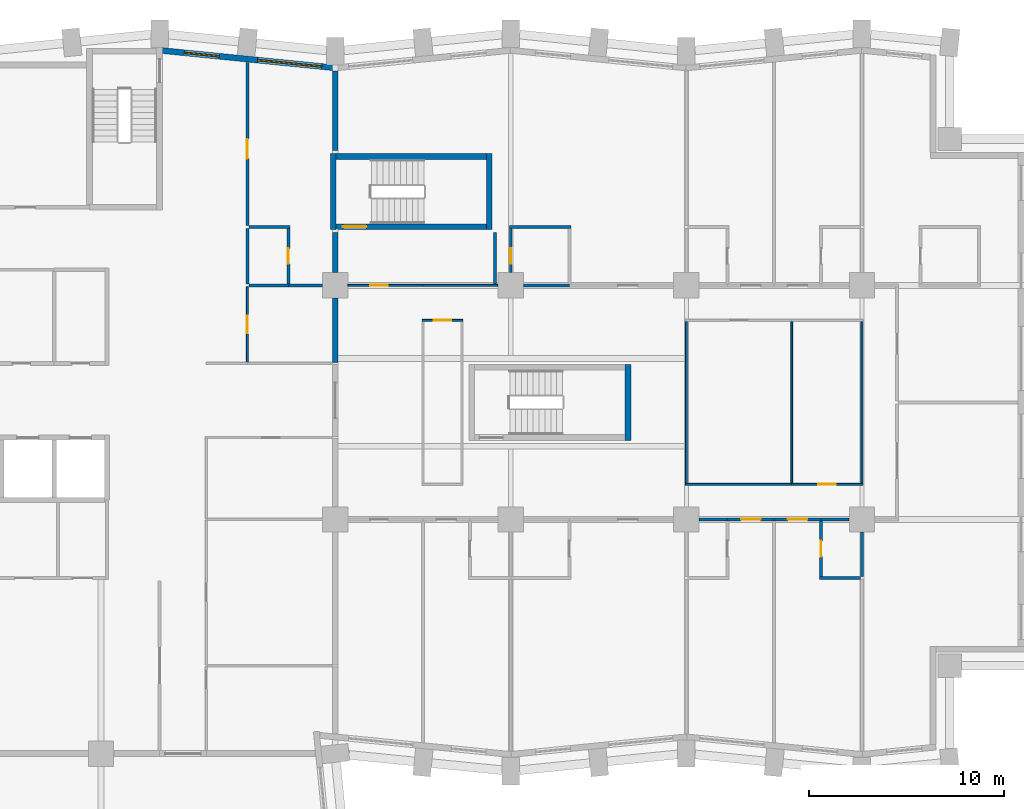
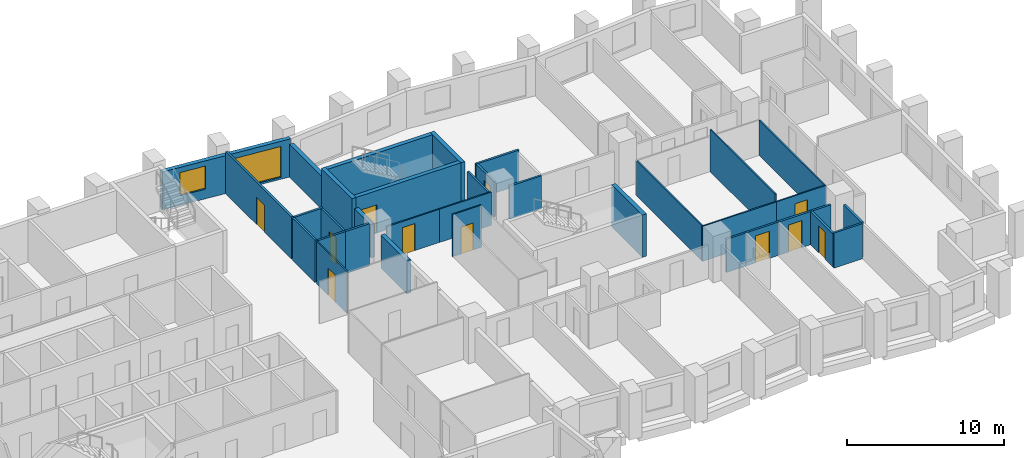
# One storey, part 8 of 13: 35 walls, 11 doors, 2 windows, 13 openings.
"""IFC4 building model written with IfcOpenShell, lengths in metres."""

from ifc_helpers import new_model, si_unit, direction, frame, frame_2d, origin, place, context, subcontext, project, spatial, rectangle, extrude, material, layer, layer_set, type_object, element, fill, save


model = new_model("IFC4")

# Units and contexts
model_context = context("Model", 3, precision=1e-05, world=origin(), true_north=direction((0.0, 1.0)))
body_context = subcontext(model_context, "Body", "Model", "MODEL_VIEW")
ifc_project = project(units=[si_unit("LENGTHUNIT", "METRE"), si_unit("AREAUNIT", "SQUARE_METRE"), si_unit("VOLUMEUNIT", "CUBIC_METRE"), si_unit("PLANEANGLEUNIT", "RADIAN"), si_unit("MASSUNIT", "GRAM", prefix="KILO")], contexts=[model_context])

# Site, building, storey
site_placement = place(None, origin())
site = spatial("IfcSite", under=ifc_project, at=site_placement, CompositionType="ELEMENT")
building_placement = place(site_placement, origin())
building = spatial("IfcBuilding", under=site, at=building_placement, Name="Brondeck Convention Tower", CompositionType="ELEMENT")
storey_placement = place(building_placement, frame((0.0, 0.0, 73.5)))
storey = spatial("IfcBuildingStorey", under=building, at=storey_placement, Name="L16", CompositionType="ELEMENT", Elevation=73.5)

# Walls
ifc_material_1 = material(Name="Concrete compartment wall C30/37", Category="concrete")
ifc_layer_1 = layer(ifc_material_1, 0.300048828125)
ifc_layer_set_1 = layer_set([ifc_layer_1], Name="Compartment wall 300")
wall_type_1 = type_object("IfcWallType", Name="Compartment wall 300", PredefinedType="PARTITIONING", material=ifc_layer_set_1)
wall_1_placement = place(storey_placement, frame((36.0, 50.344970703125, 0.0), z_axis=(0.0, 0.0, 1.0), x_axis=(0.0, -1.0, 0.0)))
element("IfcWall", 1, at=wall_1_placement, inside=storey, type_object=wall_type_1, Name="FLR-L16-W092", PredefinedType="PARTITIONING", context=body_context, shape_type="SweptSolid", body=[
    extrude(rectangle(XDim=3.294921875, YDim=0.300048828125, at=frame_2d((1.6474609375, 0.0))), origin(), (0.0, 0.0, 1.0), 2.580078125),
])
wall_2_placement = place(storey_placement, frame((36.0, 53.699951171875, 0.0), z_axis=(0.0, 0.0, 1.0), x_axis=(0.0, -1.0, 0.0)))
element("IfcWall", 2, at=wall_2_placement, inside=storey, type_object=wall_type_1, Name="FLR-L16-W111", PredefinedType="PARTITIONING", context=body_context, shape_type="SweptSolid", body=[
    extrude(rectangle(XDim=2.044921875, YDim=0.300048828125, at=frame_2d((1.0224609375, 0.0))), origin(), (0.0, 0.0, 1.0), 2.580078125),
])
wall_3_placement = place(storey_placement, frame((36.0, 61.97509765625, 0.0), z_axis=(0.0, 0.0, 1.0), x_axis=(0.0, -1.0, 0.0)))
element("IfcWall", 3, at=wall_3_placement, inside=storey, type_object=wall_type_1, Name="FLR-L16-W124", PredefinedType="PARTITIONING", context=body_context, shape_type="SweptSolid", body=[
    extrude(rectangle(XDim=4.0751953125, YDim=0.300048828125, at=frame_2d((2.03759765625, 0.0))), origin(), (0.0, 0.0, 1.0), 2.580078125),
])

# Wall, openings, windows
ifc_material_2 = material(Name="Precast concrete C50/60 bronze finish", Category="concrete")
ifc_layer_2 = layer(ifc_material_2, 0.070068359375, Name="Bronze precast facing")
ifc_material_3 = material(Name="Mineral wool")
ifc_layer_3 = layer(ifc_material_3, 0.159912109375, Name="Insulation")
ifc_material_4 = material(Name="Concrete C35/45", Category="concrete")
ifc_layer_4 = layer(ifc_material_4, 0.070068359375, Name="Backing")
ifc_layer_set_2 = layer_set([ifc_layer_2, ifc_layer_3, ifc_layer_4], Name="External infill wall, precast concrete C50/60 bronze facing")
wall_type_2 = type_object("IfcWallType", Name="External infill wall, precast concrete C50/60 bronze facing", PredefinedType="SOLIDWALL", material=ifc_layer_set_2)
wall_4_placement = place(storey_placement, frame((27.064697265625, 63.039306640625, 0.0), z_axis=(0.0, 0.0, 1.0), x_axis=(0.995036379926, -0.099511821531, 0.0)))
wall_4 = element("IfcWall", 4, at=wall_4_placement, inside=storey, type_object=wall_type_2, Name="ENV-EW-L16-P0-A-N-07", PredefinedType="SOLIDWALL", context=body_context, shape_type="SweptSolid", body=[
    extrude(rectangle(XDim=8.949951171875, YDim=0.300048828125, at=frame_2d((4.47509765625, 0.0))), origin(), (0.0, 0.0, 1.0), 2.949951171875),
])
opening_1_placement = place(wall_4_placement, frame((1.211181640625, 0.0, 0.75)))
opening_1 = element("IfcOpeningElement", 5, at=opening_1_placement, cuts=wall_4, Name="Opening W10", PredefinedType="OPENING", context=body_context, shape_type="SweptSolid", body=[
    extrude(rectangle(XDim=1.800048828125, YDim=1.800048828125, at=frame_2d((0.89990234375, 0.89990234375))), frame((0.0, 0.159912109375, 0.0), z_axis=(0.0, -1.0, 0.0), x_axis=(1.0, 0.0, 0.0)), (0.0, 0.0, 1.0), 0.320068359375),
])
opening_2_placement = place(wall_4_placement, frame((4.983642578125, 0.0, 0.14990234375)))
opening_2 = element("IfcOpeningElement", 6, at=opening_2_placement, cuts=wall_4, Name="Opening W9", PredefinedType="OPENING", context=body_context, shape_type="SweptSolid", body=[
    extrude(rectangle(XDim=3.300048828125, YDim=2.39990234375, at=frame_2d((1.64990234375, 1.199951171875))), frame((0.0, 0.159912109375, 0.0), z_axis=(0.0, -1.0, 0.0), x_axis=(1.0, 0.0, 0.0)), (0.0, 0.0, 1.0), 0.320068359375),
])
ifc_material_5 = material(Name="Bronze tinted double glazing", Category="glass")
window_type_1 = type_object("IfcWindowType", Name="Glazed flute window, bronze tinted", PartitioningType="SINGLE_PANEL", PredefinedType="WINDOW", material=ifc_material_5)
window_1_placement = place(opening_2_placement, origin())
window_1 = element("IfcWindow", 7, at=window_1_placement, inside=storey, type_object=window_type_1, Name="ENV-WN-L16-P0-A-N-07", OverallHeight=2.39990234375, OverallWidth=3.300048828125, PartitioningType="SINGLE_PANEL", PredefinedType="WINDOW", context=body_context, shape_type="SweptSolid", body=[
    extrude(rectangle(XDim=3.300048828125, YDim=2.39990234375, at=frame_2d((1.64990234375, 1.199951171875))), frame((0.0, 0.030029296875, 0.0), z_axis=(0.0, -1.0, 0.0), x_axis=(1.0, 0.0, 0.0)), (0.0, 0.0, 1.0), 0.06005859375),
])
fill(opening_2, window_1)
window_type_2 = type_object("IfcWindowType", Name="Punched window, bronze tinted", PartitioningType="SINGLE_PANEL", PredefinedType="WINDOW", material=ifc_material_5)
window_2_placement = place(opening_1_placement, origin())
window_2 = element("IfcWindow", 8, at=window_2_placement, inside=storey, type_object=window_type_2, Name="ENV-WN-L16-P0-A-N-06", OverallHeight=1.800048828125, OverallWidth=1.800048828125, PartitioningType="SINGLE_PANEL", PredefinedType="WINDOW", context=body_context, shape_type="SweptSolid", body=[
    extrude(rectangle(XDim=1.800048828125, YDim=1.800048828125, at=frame_2d((0.89990234375, 0.89990234375))), frame((0.0, 0.030029296875, 0.0), z_axis=(0.0, -1.0, 0.0), x_axis=(1.0, 0.0, 0.0)), (0.0, 0.0, 1.0), 0.06005859375),
])
fill(opening_1, window_2)

# Walls
ifc_material_6 = material(Name="Double gypsum board acoustic wall")
ifc_layer_5 = layer(ifc_material_6, 0.14990234375)
ifc_layer_set_3 = layer_set([ifc_layer_5], Name="Guest room party wall 150")
wall_type_3 = type_object("IfcWallType", Name="Guest room party wall 150", PredefinedType="PARTITIONING", material=ifc_layer_set_3)
wall_5_placement = place(storey_placement, frame((60.824951171875, 36.0, 0.0), z_axis=(0.0, 0.0, 1.0), x_axis=(1.0, 0.0, 0.0)))
element("IfcWall", 9, at=wall_5_placement, inside=storey, type_object=wall_type_3, Name="FLR-L16-W050", PredefinedType="PARTITIONING", context=body_context, shape_type="SweptSolid", body=[
    extrude(rectangle(XDim=2.10009765625, YDim=0.14990234375, at=frame_2d((1.050048828125, 0.0))), origin(), (0.0, 0.0, 1.0), 2.72998046875),
])
wall_6_placement = place(storey_placement, frame((63.0, 38.344970703125, 0.0), z_axis=(0.0, 0.0, 1.0), x_axis=(0.0, -1.0, 0.0)))
element("IfcWall", 10, at=wall_6_placement, inside=storey, type_object=wall_type_3, Name="FLR-L16-W056", PredefinedType="PARTITIONING", context=body_context, shape_type="SweptSolid", body=[
    extrude(rectangle(XDim=2.27001953125, YDim=0.14990234375, at=frame_2d((1.135009765625, 0.0))), origin(), (0.0, 0.0, 1.0), 2.72998046875),
])

# Wall, opening, door
wall_7_placement = place(storey_placement, frame((60.89990234375, 38.925048828125, 0.0), z_axis=(0.0, 0.0, 1.0), x_axis=(0.0, -1.0, 0.0)))
wall_7 = element("IfcWall", 11, at=wall_7_placement, inside=storey, type_object=wall_type_3, Name="FLR-L16-W060", PredefinedType="PARTITIONING", context=body_context, shape_type="SweptSolid", body=[
    extrude(rectangle(XDim=2.85009765625, YDim=0.14990234375, at=frame_2d((1.425048828125, 0.0))), origin(), (0.0, 0.0, 1.0), 2.580078125),
])
opening_3_placement = place(wall_7_placement, frame((1.02490234375, 0.0, 0.0)))
opening_3 = element("IfcOpeningElement", 12, at=opening_3_placement, cuts=wall_7, Name="Opening H4-016", PredefinedType="OPENING", context=body_context, shape_type="SweptSolid", body=[
    extrude(rectangle(XDim=0.800048828125, YDim=2.10009765625, at=frame_2d((0.39990234375, 1.050048828125))), frame((0.0, 0.0849609375, 0.0), z_axis=(0.0, -1.0, 0.0), x_axis=(1.0, 0.0, 0.0)), (0.0, 0.0, 1.0), 0.169921875),
])
ifc_material_7 = material(Name="Solid timber door leaf", Category="wood")
door_type_1 = type_object("IfcDoorType", Name="En-suite door 800", OperationType="NOTDEFINED", PredefinedType="DOOR", material=ifc_material_7)
door_1_placement = place(opening_3_placement, origin())
door_1 = element("IfcDoor", 13, at=door_1_placement, inside=storey, type_object=door_type_1, Name="Door H4-016", OperationType="SINGLE_SWING_LEFT", OverallHeight=2.10009765625, OverallWidth=0.800048828125, PredefinedType="DOOR", context=body_context, shape_type="SweptSolid", body=[
    extrude(rectangle(XDim=0.800048828125, YDim=2.10009765625, at=frame_2d((0.39990234375, 1.050048828125))), frame((0.0, 0.02490234375, 0.0), z_axis=(0.0, -1.0, 0.0), x_axis=(1.0, 0.0, 0.0)), (0.0, 0.0, 1.0), 0.050048828125),
])
fill(opening_3, door_1)

# Wall
wall_8_placement = place(storey_placement, frame((56.10009765625, 39.0, 0.0), z_axis=(0.0, 0.0, 1.0), x_axis=(-1.0, 0.0, 0.0)))
element("IfcWall", 14, at=wall_8_placement, inside=storey, type_object=wall_type_3, Name="FLR-L16-W068", PredefinedType="PARTITIONING", context=body_context, shape_type="SweptSolid", body=[
    extrude(rectangle(XDim=1.445068359375, YDim=0.14990234375, at=frame_2d((0.72265625, 0.0))), origin(), (0.0, 0.0, 1.0), 2.580078125),
])

# Wall, opening, door
wall_9_placement = place(storey_placement, frame((58.5, 39.0, 0.0), z_axis=(0.0, 0.0, 1.0), x_axis=(-1.0, 0.0, 0.0)))
wall_9 = element("IfcWall", 15, at=wall_9_placement, inside=storey, type_object=wall_type_3, Name="FLR-L16-W069", PredefinedType="PARTITIONING", context=body_context, shape_type="SweptSolid", body=[
    extrude(rectangle(XDim=2.39990234375, YDim=0.14990234375, at=frame_2d((1.199951171875, 0.0))), origin(), (0.0, 0.0, 1.0), 2.580078125),
])
opening_4_placement = place(wall_9_placement, frame((0.699951171875, 0.0, 0.0)))
opening_4 = element("IfcOpeningElement", 16, at=opening_4_placement, cuts=wall_9, Name="Opening H4-013", PredefinedType="OPENING", context=body_context, shape_type="SweptSolid", body=[
    extrude(rectangle(XDim=1.0, YDim=2.10009765625, at=frame_2d((0.5, 1.050048828125))), frame((0.0, 0.0849609375, 0.0), z_axis=(0.0, -1.0, 0.0), x_axis=(1.0, 0.0, 0.0)), (0.0, 0.0, 1.0), 0.169921875),
])
ifc_material_8 = material(Name="Solid timber fire door leaf", Category="wood")
door_type_2 = type_object("IfcDoorType", Name="Guest room door 1000", OperationType="NOTDEFINED", PredefinedType="DOOR", material=ifc_material_8)
door_2_placement = place(opening_4_placement, origin())
door_2 = element("IfcDoor", 17, at=door_2_placement, inside=storey, type_object=door_type_2, Name="Door H4-013", OperationType="SINGLE_SWING_LEFT", OverallHeight=2.10009765625, OverallWidth=1.0, PredefinedType="DOOR", context=body_context, shape_type="SweptSolid", body=[
    extrude(rectangle(XDim=1.0, YDim=2.10009765625, at=frame_2d((0.5, 1.050048828125))), frame((0.0, 0.02490234375, 0.0), z_axis=(0.0, -1.0, 0.0), x_axis=(1.0, 0.0, 0.0)), (0.0, 0.0, 1.0), 0.050048828125),
])
fill(opening_4, door_2)

wall_10_placement = place(storey_placement, frame((60.89990234375, 39.0, 0.0), z_axis=(0.0, 0.0, 1.0), x_axis=(-1.0, 0.0, 0.0)))
wall_10 = element("IfcWall", 18, at=wall_10_placement, inside=storey, type_object=wall_type_3, Name="FLR-L16-W070", PredefinedType="PARTITIONING", context=body_context, shape_type="SweptSolid", body=[
    extrude(rectangle(XDim=2.39990234375, YDim=0.14990234375, at=frame_2d((1.199951171875, 0.0))), origin(), (0.0, 0.0, 1.0), 2.580078125),
])
opening_5_placement = place(wall_10_placement, frame((0.699951171875, 0.0, 0.0)))
opening_5 = element("IfcOpeningElement", 19, at=opening_5_placement, cuts=wall_10, Name="Opening H4-015", PredefinedType="OPENING", context=body_context, shape_type="SweptSolid", body=[
    extrude(rectangle(XDim=1.0, YDim=2.10009765625, at=frame_2d((0.5, 1.050048828125))), frame((0.0, 0.0849609375, 0.0), z_axis=(0.0, -1.0, 0.0), x_axis=(1.0, 0.0, 0.0)), (0.0, 0.0, 1.0), 0.169921875),
])
door_3_placement = place(opening_5_placement, origin())
door_3 = element("IfcDoor", 20, at=door_3_placement, inside=storey, type_object=door_type_2, Name="Door H4-015", OperationType="SINGLE_SWING_LEFT", OverallHeight=2.10009765625, OverallWidth=1.0, PredefinedType="DOOR", context=body_context, shape_type="SweptSolid", body=[
    extrude(rectangle(XDim=1.0, YDim=2.10009765625, at=frame_2d((0.5, 1.050048828125))), frame((0.0, 0.02490234375, 0.0), z_axis=(0.0, -1.0, 0.0), x_axis=(1.0, 0.0, 0.0)), (0.0, 0.0, 1.0), 0.050048828125),
])
fill(opening_5, door_3)

# Walls
wall_11_placement = place(storey_placement, frame((62.344970703125, 39.0, 0.0), z_axis=(0.0, 0.0, 1.0), x_axis=(-1.0, 0.0, 0.0)))
element("IfcWall", 21, at=wall_11_placement, inside=storey, type_object=wall_type_3, Name="FLR-L16-W071", PredefinedType="PARTITIONING", context=body_context, shape_type="SweptSolid", body=[
    extrude(rectangle(XDim=1.445068359375, YDim=0.14990234375, at=frame_2d((0.72265625, 0.0))), origin(), (0.0, 0.0, 1.0), 2.580078125),
])
wall_12_placement = place(storey_placement, frame((31.574951171875, 51.0, 0.0), z_axis=(0.0, 0.0, 1.0), x_axis=(1.0, 0.0, 0.0)))
element("IfcWall", 22, at=wall_12_placement, inside=storey, type_object=wall_type_3, Name="FLR-L16-W095", PredefinedType="PARTITIONING", context=body_context, shape_type="SweptSolid", body=[
    extrude(rectangle(XDim=2.025146484375, YDim=0.14990234375, at=frame_2d((1.0126953125, 0.0))), origin(), (0.0, 0.0, 1.0), 3.280029296875),
])
wall_13_placement = place(storey_placement, frame((33.60009765625, 51.0, 0.0), z_axis=(0.0, 0.0, 1.0), x_axis=(1.0, 0.0, 0.0)))
element("IfcWall", 23, at=wall_13_placement, inside=storey, type_object=wall_type_3, Name="FLR-L16-W096", PredefinedType="PARTITIONING", context=body_context, shape_type="SweptSolid", body=[
    extrude(rectangle(XDim=1.744873046875, YDim=0.14990234375, at=frame_2d((0.87255859375, 0.0))), origin(), (0.0, 0.0, 1.0), 3.280029296875),
])
wall_14_placement = place(storey_placement, frame((45.655029296875, 51.0, 0.0), z_axis=(0.0, 0.0, 1.0), x_axis=(1.0, 0.0, 0.0)))
element("IfcWall", 24, at=wall_14_placement, inside=storey, type_object=wall_type_3, Name="FLR-L16-W099", PredefinedType="PARTITIONING", context=body_context, shape_type="SweptSolid", body=[
    extrude(rectangle(XDim=2.344970703125, YDim=0.14990234375, at=frame_2d((1.17236328125, 0.0))), origin(), (0.0, 0.0, 1.0), 2.580078125),
])

# Wall, opening, door
wall_15_placement = place(storey_placement, frame((33.60009765625, 51.074951171875, 0.0), z_axis=(0.0, 0.0, 1.0), x_axis=(0.0, 1.0, 0.0)))
wall_15 = element("IfcWall", 25, at=wall_15_placement, inside=storey, type_object=wall_type_3, Name="FLR-L16-W107", PredefinedType="PARTITIONING", context=body_context, shape_type="SweptSolid", body=[
    extrude(rectangle(XDim=2.85009765625, YDim=0.14990234375, at=frame_2d((1.425048828125, 0.0))), origin(), (0.0, 0.0, 1.0), 3.280029296875),
])
opening_6_placement = place(wall_15_placement, frame((1.02490234375, 0.0, 0.0)))
opening_6 = element("IfcOpeningElement", 26, at=opening_6_placement, cuts=wall_15, Name="Opening H4-034", PredefinedType="OPENING", context=body_context, shape_type="SweptSolid", body=[
    extrude(rectangle(XDim=0.800048828125, YDim=2.10009765625, at=frame_2d((0.39990234375, 1.050048828125))), frame((0.0, 0.0849609375, 0.0), z_axis=(0.0, -1.0, 0.0), x_axis=(1.0, 0.0, 0.0)), (0.0, 0.0, 1.0), 0.169921875),
])
door_4_placement = place(opening_6_placement, origin())
door_4 = element("IfcDoor", 27, at=door_4_placement, inside=storey, type_object=door_type_1, Name="Door H4-034", OperationType="SINGLE_SWING_LEFT", OverallHeight=2.10009765625, OverallWidth=0.800048828125, PredefinedType="DOOR", context=body_context, shape_type="SweptSolid", body=[
    extrude(rectangle(XDim=0.800048828125, YDim=2.10009765625, at=frame_2d((0.39990234375, 1.050048828125))), frame((0.0, 0.02490234375, 0.0), z_axis=(0.0, -1.0, 0.0), x_axis=(1.0, 0.0, 0.0)), (0.0, 0.0, 1.0), 0.050048828125),
])
fill(opening_6, door_4)

# Walls
wall_16_placement = place(storey_placement, frame((44.199951171875, 53.699951171875, 0.0), z_axis=(0.0, 0.0, 1.0), x_axis=(0.0, -1.0, 0.0)))
element("IfcWall", 28, at=wall_16_placement, inside=storey, type_object=wall_type_3, Name="FLR-L16-W112", PredefinedType="PARTITIONING", context=body_context, shape_type="SweptSolid", body=[
    extrude(rectangle(XDim=2.625, YDim=0.14990234375, at=frame_2d((1.3125, 0.0))), origin(), (0.0, 0.0, 1.0), 2.580078125),
])
wall_17_placement = place(storey_placement, frame((31.5, 53.925048828125, 0.0), z_axis=(0.0, 0.0, 1.0), x_axis=(0.0, -1.0, 0.0)))
element("IfcWall", 29, at=wall_17_placement, inside=storey, type_object=wall_type_3, Name="FLR-L16-W113", PredefinedType="PARTITIONING", context=body_context, shape_type="SweptSolid", body=[
    extrude(rectangle(XDim=2.85009765625, YDim=0.14990234375, at=frame_2d((1.425048828125, 0.0))), origin(), (0.0, 0.0, 1.0), 3.280029296875),
])

# Wall, opening, door
wall_18_placement = place(storey_placement, frame((45.0, 53.925048828125, 0.0), z_axis=(0.0, 0.0, 1.0), x_axis=(0.0, -1.0, 0.0)))
wall_18 = element("IfcWall", 30, at=wall_18_placement, inside=storey, type_object=wall_type_3, Name="FLR-L16-W114", PredefinedType="PARTITIONING", context=body_context, shape_type="SweptSolid", body=[
    extrude(rectangle(XDim=2.27001953125, YDim=0.14990234375, at=frame_2d((1.135009765625, 0.0))), origin(), (0.0, 0.0, 1.0), 2.72998046875),
])
opening_7_placement = place(wall_18_placement, frame((1.02490234375, 0.0, 0.0)))
opening_7 = element("IfcOpeningElement", 31, at=opening_7_placement, cuts=wall_18, Name="Opening H4-003", PredefinedType="OPENING", context=body_context, shape_type="SweptSolid", body=[
    extrude(rectangle(XDim=0.800048828125, YDim=2.10009765625, at=frame_2d((0.39990234375, 1.050048828125))), frame((0.0, 0.0849609375, 0.0), z_axis=(0.0, -1.0, 0.0), x_axis=(1.0, 0.0, 0.0)), (0.0, 0.0, 1.0), 0.169921875),
])
door_5_placement = place(opening_7_placement, origin())
door_5 = element("IfcDoor", 32, at=door_5_placement, inside=storey, type_object=door_type_1, Name="Door H4-003", OperationType="SINGLE_SWING_RIGHT", OverallHeight=2.10009765625, OverallWidth=0.800048828125, PredefinedType="DOOR", context=body_context, shape_type="SweptSolid", body=[
    extrude(rectangle(XDim=0.800048828125, YDim=2.10009765625, at=frame_2d((0.39990234375, 1.050048828125))), frame((0.0, 0.02490234375, 0.0), z_axis=(0.0, -1.0, 0.0), x_axis=(1.0, 0.0, 0.0)), (0.0, 0.0, 1.0), 0.050048828125),
])
fill(opening_7, door_5)

# Walls
wall_19_placement = place(storey_placement, frame((33.675048828125, 54.0, 0.0), z_axis=(0.0, 0.0, 1.0), x_axis=(-1.0, 0.0, 0.0)))
element("IfcWall", 33, at=wall_19_placement, inside=storey, type_object=wall_type_3, Name="FLR-L16-W119", PredefinedType="PARTITIONING", context=body_context, shape_type="SweptSolid", body=[
    extrude(rectangle(XDim=2.10009765625, YDim=0.14990234375, at=frame_2d((1.050048828125, 0.0))), origin(), (0.0, 0.0, 1.0), 3.280029296875),
])
wall_20_placement = place(storey_placement, frame((48.074951171875, 54.0, 0.0), z_axis=(0.0, 0.0, 1.0), x_axis=(-1.0, 0.0, 0.0)))
element("IfcWall", 34, at=wall_20_placement, inside=storey, type_object=wall_type_3, Name="FLR-L16-W120", PredefinedType="PARTITIONING", context=body_context, shape_type="SweptSolid", body=[
    extrude(rectangle(XDim=3.14990234375, YDim=0.14990234375, at=frame_2d((1.574951171875, 0.0))), origin(), (0.0, 0.0, 1.0), 2.72998046875),
])

# Wall, opening, door
wall_21_placement = place(storey_placement, frame((31.5, 62.425048828125, 0.0), z_axis=(0.0, 0.0, 1.0), x_axis=(0.0, -1.0, 0.0)))
wall_21 = element("IfcWall", 35, at=wall_21_placement, inside=storey, type_object=wall_type_3, Name="FLR-L16-W126", PredefinedType="PARTITIONING", context=body_context, shape_type="SweptSolid", body=[
    extrude(rectangle(XDim=8.35009765625, YDim=0.14990234375, at=frame_2d((4.175048828125, 0.0))), origin(), (0.0, 0.0, 1.0), 3.280029296875),
])
opening_8_placement = place(wall_21_placement, frame((3.925048828125, 0.0, 0.0)))
opening_8 = element("IfcOpeningElement", 36, at=opening_8_placement, cuts=wall_21, Name="Opening H4-033", PredefinedType="OPENING", context=body_context, shape_type="SweptSolid", body=[
    extrude(rectangle(XDim=1.0, YDim=2.10009765625, at=frame_2d((0.5, 1.050048828125))), frame((0.0, 0.0849609375, 0.0), z_axis=(0.0, -1.0, 0.0), x_axis=(1.0, 0.0, 0.0)), (0.0, 0.0, 1.0), 0.169921875),
])
door_6_placement = place(opening_8_placement, origin())
door_6 = element("IfcDoor", 37, at=door_6_placement, inside=storey, type_object=door_type_2, Name="Door H4-033", OperationType="SINGLE_SWING_LEFT", OverallHeight=2.10009765625, OverallWidth=1.0, PredefinedType="DOOR", context=body_context, shape_type="SweptSolid", body=[
    extrude(rectangle(XDim=1.0, YDim=2.10009765625, at=frame_2d((0.5, 1.050048828125))), frame((0.0, 0.02490234375, 0.0), z_axis=(0.0, -1.0, 0.0), x_axis=(1.0, 0.0, 0.0)), (0.0, 0.0, 1.0), 0.050048828125),
])
fill(opening_8, door_6)

# Wall
ifc_material_9 = material(Name="Gypsum board partition on steel studs", Category="steel")
ifc_layer_6 = layer(ifc_material_9, 0.10009765625)
ifc_layer_set_4 = layer_set([ifc_layer_6], Name="Room partition 100")
wall_type_4 = type_object("IfcWallType", Name="Room partition 100", PredefinedType="PARTITIONING", material=ifc_layer_set_4)
wall_22_placement = place(storey_placement, frame((53.949951171875, 40.800048828125, 0.0), z_axis=(0.0, 0.0, 1.0), x_axis=(1.0, 0.0, 0.0)))
element("IfcWall", 38, at=wall_22_placement, inside=storey, type_object=wall_type_4, Name="FLR-L16-W074", PredefinedType="PARTITIONING", context=body_context, shape_type="SweptSolid", body=[
    extrude(rectangle(XDim=5.449951171875, YDim=0.10009765625, at=frame_2d((2.72509765625, 0.0))), origin(), (0.0, 0.0, 1.0), 2.72998046875),
])

# Wall, opening, door
wall_23_placement = place(storey_placement, frame((59.39990234375, 40.800048828125, 0.0), z_axis=(0.0, 0.0, 1.0), x_axis=(1.0, 0.0, 0.0)))
wall_23 = element("IfcWall", 39, at=wall_23_placement, inside=storey, type_object=wall_type_4, Name="FLR-L16-W075", PredefinedType="PARTITIONING", context=body_context, shape_type="SweptSolid", body=[
    extrude(rectangle(XDim=3.650146484375, YDim=0.10009765625, at=frame_2d((1.8251953125, 0.0))), origin(), (0.0, 0.0, 1.0), 2.72998046875),
])
opening_9_placement = place(wall_23_placement, frame((1.35009765625, 0.0, 0.0)))
opening_9 = element("IfcOpeningElement", 40, at=opening_9_placement, cuts=wall_23, Name="Opening H4-019", PredefinedType="OPENING", context=body_context, shape_type="SweptSolid", body=[
    extrude(rectangle(XDim=0.89990234375, YDim=2.10009765625, at=frame_2d((0.449951171875, 1.050048828125))), frame((0.0, 0.06005859375, 0.0), z_axis=(0.0, -1.0, 0.0), x_axis=(1.0, 0.0, 0.0)), (0.0, 0.0, 1.0), 0.1201171875),
])
door_type_3 = type_object("IfcDoorType", Name="Single door 900", OperationType="NOTDEFINED", PredefinedType="DOOR", material=ifc_material_7)
door_7_placement = place(opening_9_placement, origin())
door_7 = element("IfcDoor", 41, at=door_7_placement, inside=storey, type_object=door_type_3, Name="Door H4-019", OperationType="SINGLE_SWING_RIGHT", OverallHeight=2.10009765625, OverallWidth=0.89990234375, PredefinedType="DOOR", context=body_context, shape_type="SweptSolid", body=[
    extrude(rectangle(XDim=0.89990234375, YDim=2.10009765625, at=frame_2d((0.449951171875, 1.050048828125))), frame((0.0, 0.02490234375, 0.0), z_axis=(0.0, -1.0, 0.0), x_axis=(1.0, 0.0, 0.0)), (0.0, 0.0, 1.0), 0.050048828125),
])
fill(opening_9, door_7)

# Walls
for number, where, z_axis, x_axis, name in (
    (42, (63.0, 40.85009765625, 0.0), (0.0, 0.0, 1.0), (0.0, 1.0, 0.0), "FLR-L16-W076"),
    (43, (54.0, 49.14990234375, 0.0), (0.0, 0.0, 1.0), (0.0, -1.0, 0.0), "FLR-L16-W087"),
):
    element("IfcWall", number, at=place(storey_placement, frame(where, z_axis=z_axis, x_axis=x_axis)), inside=storey, type_object=wall_type_4, Name=name, PredefinedType="PARTITIONING", context=body_context, shape_type="SweptSolid", body=[
        extrude(rectangle(XDim=8.2998046875, YDim=0.10009765625, at=frame_2d((4.14990234375, 0.0))), origin(), (0.0, 0.0, 1.0), 2.72998046875),
    ])
wall_24_placement = place(storey_placement, frame((59.39990234375, 49.14990234375, 0.0), z_axis=(0.0, 0.0, 1.0), x_axis=(0.0, -1.0, 0.0)))
element("IfcWall", 44, at=wall_24_placement, inside=storey, type_object=wall_type_4, Name="FLR-L16-W088", PredefinedType="PARTITIONING", context=body_context, shape_type="SweptSolid", body=[
    extrude(rectangle(XDim=8.2998046875, YDim=0.10009765625, at=frame_2d((4.14990234375, 0.0))), origin(), (0.0, 0.0, 1.0), 3.280029296875),
])

# Wall, opening, door
wall_25_placement = place(storey_placement, frame((42.550048828125, 49.199951171875, 0.0), z_axis=(0.0, 0.0, 1.0), x_axis=(-1.0, 0.0, 0.0)))
wall_25 = element("IfcWall", 45, at=wall_25_placement, inside=storey, type_object=wall_type_4, Name="FLR-L16-W089", PredefinedType="PARTITIONING", context=body_context, shape_type="SweptSolid", body=[
    extrude(rectangle(XDim=2.10009765625, YDim=0.10009765625, at=frame_2d((1.050048828125, 0.0))), origin(), (0.0, 0.0, 1.0), 3.280029296875),
])
opening_10_placement = place(wall_25_placement, frame((0.60009765625, 0.0, 0.0)))
opening_10 = element("IfcOpeningElement", 46, at=opening_10_placement, cuts=wall_25, Name="Opening H4-017", PredefinedType="OPENING", context=body_context, shape_type="SweptSolid", body=[
    extrude(rectangle(XDim=0.89990234375, YDim=2.10009765625, at=frame_2d((0.449951171875, 1.050048828125))), frame((0.0, 0.06005859375, 0.0), z_axis=(0.0, -1.0, 0.0), x_axis=(1.0, 0.0, 0.0)), (0.0, 0.0, 1.0), 0.1201171875),
])
door_8_placement = place(opening_10_placement, origin())
door_8 = element("IfcDoor", 47, at=door_8_placement, inside=storey, type_object=door_type_3, Name="Door H4-017", OperationType="SINGLE_SWING_LEFT", OverallHeight=2.10009765625, OverallWidth=0.89990234375, PredefinedType="DOOR", context=body_context, shape_type="SweptSolid", body=[
    extrude(rectangle(XDim=0.89990234375, YDim=2.10009765625, at=frame_2d((0.449951171875, 1.050048828125))), frame((0.0, 0.02490234375, 0.0), z_axis=(0.0, -1.0, 0.0), x_axis=(1.0, 0.0, 0.0)), (0.0, 0.0, 1.0), 0.050048828125),
])
fill(opening_10, door_8)

wall_26_placement = place(storey_placement, frame((31.5, 50.925048828125, 0.0), z_axis=(0.0, 0.0, 1.0), x_axis=(0.0, -1.0, 0.0)))
wall_26 = element("IfcWall", 48, at=wall_26_placement, inside=storey, type_object=wall_type_4, Name="FLR-L16-W093", PredefinedType="PARTITIONING", context=body_context, shape_type="SweptSolid", body=[
    extrude(rectangle(XDim=3.875, YDim=0.10009765625, at=frame_2d((1.9375, 0.0))), origin(), (0.0, 0.0, 1.0), 3.280029296875),
])
opening_11_placement = place(wall_26_placement, frame((1.47509765625, 0.0, 0.0)))
opening_11 = element("IfcOpeningElement", 49, at=opening_11_placement, cuts=wall_26, Name="Opening H4-035", PredefinedType="OPENING", context=body_context, shape_type="SweptSolid", body=[
    extrude(rectangle(XDim=0.89990234375, YDim=2.10009765625, at=frame_2d((0.449951171875, 1.050048828125))), frame((0.0, 0.06005859375, 0.0), z_axis=(0.0, -1.0, 0.0), x_axis=(1.0, 0.0, 0.0)), (0.0, 0.0, 1.0), 0.1201171875),
])
door_9_placement = place(opening_11_placement, origin())
door_9 = element("IfcDoor", 50, at=door_9_placement, inside=storey, type_object=door_type_3, Name="Door H4-035", OperationType="SINGLE_SWING_LEFT", OverallHeight=2.10009765625, OverallWidth=0.89990234375, PredefinedType="DOOR", context=body_context, shape_type="SweptSolid", body=[
    extrude(rectangle(XDim=0.89990234375, YDim=2.10009765625, at=frame_2d((0.449951171875, 1.050048828125))), frame((0.0, 0.02490234375, 0.0), z_axis=(0.0, -1.0, 0.0), x_axis=(1.0, 0.0, 0.0)), (0.0, 0.0, 1.0), 0.050048828125),
])
fill(opening_11, door_9)

wall_27_placement = place(storey_placement, frame((40.5, 51.0, 0.0), z_axis=(0.0, 0.0, 1.0), x_axis=(-1.0, 0.0, 0.0)))
wall_27 = element("IfcWall", 51, at=wall_27_placement, inside=storey, type_object=wall_type_4, Name="FLR-L16-W097", PredefinedType="PARTITIONING", context=body_context, shape_type="SweptSolid", body=[
    extrude(rectangle(XDim=3.844970703125, YDim=0.10009765625, at=frame_2d((1.92236328125, 0.0))), origin(), (0.0, 0.0, 1.0), 2.580078125),
])
opening_12_placement = place(wall_27_placement, frame((1.800048828125, 0.0, 0.0)))
opening_12 = element("IfcOpeningElement", 52, at=opening_12_placement, cuts=wall_27, Name="Opening H4-001", PredefinedType="OPENING", context=body_context, shape_type="SweptSolid", body=[
    extrude(rectangle(XDim=0.89990234375, YDim=2.10009765625, at=frame_2d((0.449951171875, 1.050048828125))), frame((0.0, 0.06005859375, 0.0), z_axis=(0.0, -1.0, 0.0), x_axis=(1.0, 0.0, 0.0)), (0.0, 0.0, 1.0), 0.1201171875),
])
door_10_placement = place(opening_12_placement, origin())
door_10 = element("IfcDoor", 53, at=door_10_placement, inside=storey, type_object=door_type_3, Name="Door H4-001", OperationType="SINGLE_SWING_LEFT", OverallHeight=2.10009765625, OverallWidth=0.89990234375, PredefinedType="DOOR", context=body_context, shape_type="SweptSolid", body=[
    extrude(rectangle(XDim=0.89990234375, YDim=2.10009765625, at=frame_2d((0.449951171875, 1.050048828125))), frame((0.0, 0.02490234375, 0.0), z_axis=(0.0, -1.0, 0.0), x_axis=(1.0, 0.0, 0.0)), (0.0, 0.0, 1.0), 0.050048828125),
])
fill(opening_12, door_10)

# Wall
wall_28_placement = place(storey_placement, frame((44.330078125, 51.0, 0.0), z_axis=(0.0, 0.0, 1.0), x_axis=(-1.0, 0.0, 0.0)))
element("IfcWall", 54, at=wall_28_placement, inside=storey, type_object=wall_type_4, Name="FLR-L16-W098", PredefinedType="PARTITIONING", context=body_context, shape_type="SweptSolid", body=[
    extrude(rectangle(XDim=3.830078125, YDim=0.10009765625, at=frame_2d((1.9150390625, 0.0))), origin(), (0.0, 0.0, 1.0), 2.580078125),
])

# Wall, opening, door
ifc_material_10 = material(Name="Concrete C80/95", Category="concrete")
ifc_layer_7 = layer(ifc_material_10, 0.300048828125)
ifc_layer_set_5 = layer_set([ifc_layer_7], Name="Stair enclosure wall 300 Concrete C80/95")
wall_type_5 = type_object("IfcWallType", Name="Stair enclosure wall 300 Concrete C80/95", PredefinedType="SHEAR", material=ifc_layer_set_5)
wall_29_placement = place(storey_placement, frame((36.050048828125, 54.0, 0.0), z_axis=(0.0, 0.0, 1.0), x_axis=(1.0, 0.0, 0.0)))
wall_29 = element("IfcWall", 55, at=wall_29_placement, inside=storey, type_object=wall_type_5, Name="L16 core wall", PredefinedType="SHEAR", context=body_context, shape_type="SweptSolid", body=[
    extrude(rectangle(XDim=7.699951171875, YDim=0.300048828125, at=frame_2d((3.85009765625, 0.0))), origin(), (0.0, 0.0, 1.0), 3.300048828125),
])
opening_13_placement = place(wall_29_placement, frame((0.35009765625, 0.0, 0.0)))
opening_13 = element("IfcOpeningElement", 56, at=opening_13_placement, cuts=wall_29, Name="Opening C11-19", PredefinedType="OPENING", context=body_context, shape_type="SweptSolid", body=[
    extrude(rectangle(XDim=1.199951171875, YDim=2.199951171875, at=frame_2d((0.60009765625, 1.10009765625))), frame((0.0, 0.159912109375, 0.0), z_axis=(0.0, -1.0, 0.0), x_axis=(1.0, 0.0, 0.0)), (0.0, 0.0, 1.0), 0.320068359375),
])
ifc_material_11 = material(Name="Steel fire door", Category="steel")
door_type_4 = type_object("IfcDoorType", Name="Stair door 1200x2200 EI 90", OperationType="NOTDEFINED", PredefinedType="DOOR", material=ifc_material_11)
door_11_placement = place(opening_13_placement, origin())
door_11 = element("IfcDoor", 57, at=door_11_placement, inside=storey, type_object=door_type_4, Name="L16 Stair door ST-AE", OperationType="SINGLE_SWING_LEFT", OverallHeight=2.199951171875, OverallWidth=1.199951171875, PredefinedType="DOOR", context=body_context, shape_type="SweptSolid", body=[
    extrude(rectangle(XDim=1.199951171875, YDim=2.199951171875, at=frame_2d((0.60009765625, 1.10009765625))), frame((0.0, 0.02490234375, 0.0), z_axis=(0.0, -1.0, 0.0), x_axis=(1.0, 0.0, 0.0)), (0.0, 0.0, 1.0), 0.050048828125),
])
fill(opening_13, door_11)

# Walls
wall_30_placement = place(storey_placement, frame((36.050048828125, 57.60009765625, 0.0), z_axis=(0.0, 0.0, 1.0), x_axis=(1.0, 0.0, 0.0)))
element("IfcWall", 58, at=wall_30_placement, inside=storey, type_object=wall_type_5, Name="L16 core wall", PredefinedType="SHEAR", context=body_context, shape_type="SweptSolid", body=[
    extrude(rectangle(XDim=7.699951171875, YDim=0.300048828125, at=frame_2d((3.85009765625, 0.0))), origin(), (0.0, 0.0, 1.0), 3.300048828125),
])
for number, where, z_axis, x_axis, name in (
    (59, (35.89990234375, 53.85009765625, 0.0), (0.0, 0.0, 1.0), (0.0, 1.0, 0.0), "L16 core wall"),
    (60, (43.89990234375, 53.85009765625, 0.0), (0.0, 0.0, 1.0), (0.0, 1.0, 0.0), "L16 core wall"),
    (61, (51.0, 43.050048828125, 0.0), (0.0, 0.0, 1.0), (0.0, 1.0, 0.0), "L16 core wall"),
):
    element("IfcWall", number, at=place(storey_placement, frame(where, z_axis=z_axis, x_axis=x_axis)), inside=storey, type_object=wall_type_5, Name=name, PredefinedType="SHEAR", context=body_context, shape_type="SweptSolid", body=[
        extrude(rectangle(XDim=3.89990234375, YDim=0.300048828125, at=frame_2d((1.949951171875, 0.0))), origin(), (0.0, 0.0, 1.0), 3.300048828125),
    ])

save(model, "model.ifc")
